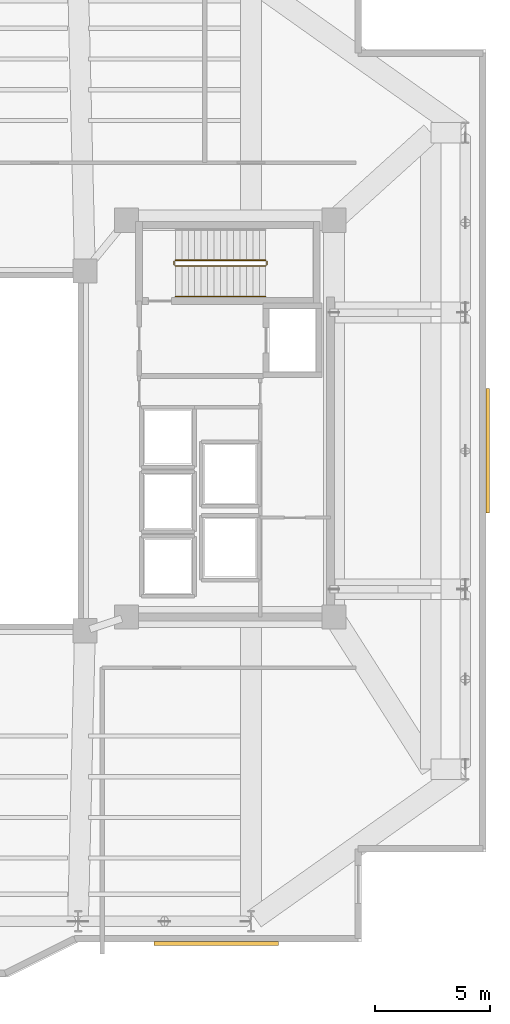
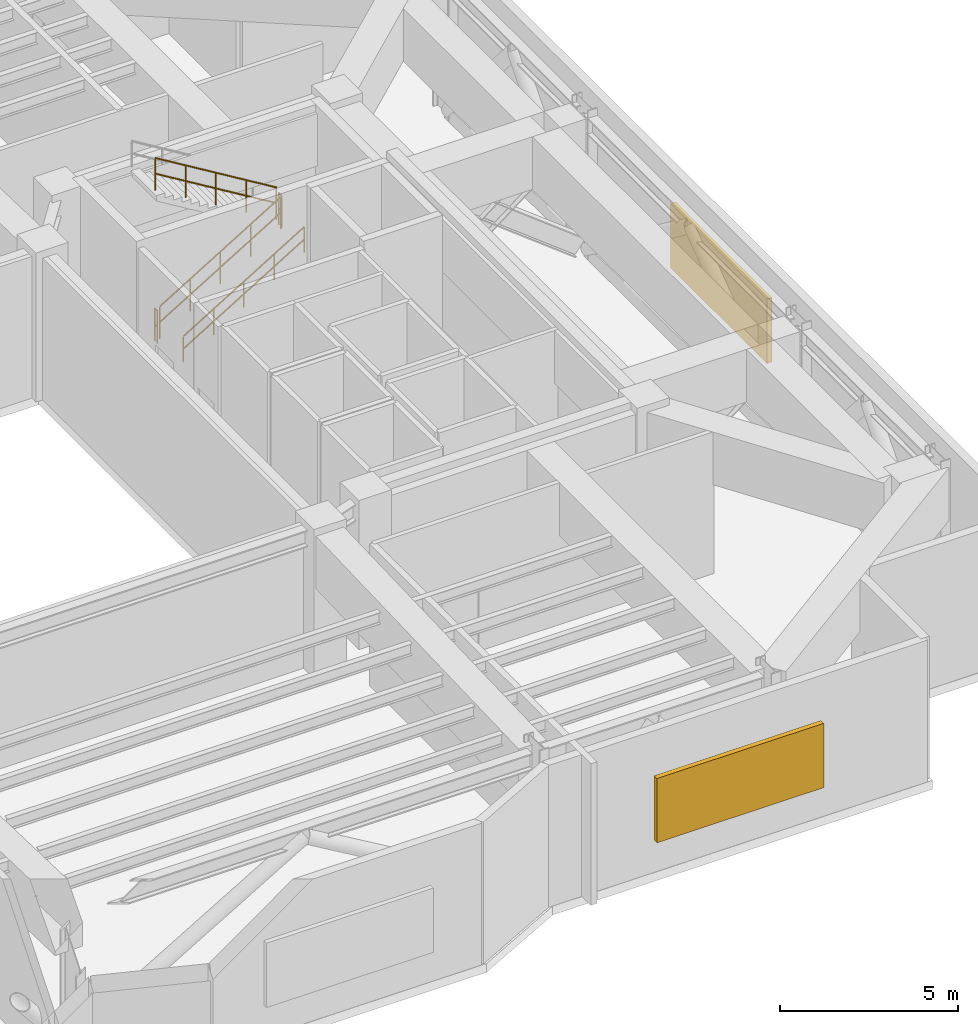
# One storey, part 12 of 13: 5 railings, 2 shading devices.
"""IFC4 building model written with IfcOpenShell, lengths in metres."""

from ifc_helpers import new_model, si_unit, direction, frame, origin, origin_2d, place, context, subcontext, project, spatial, rectangle, circle, extrude, material, layer, layer_set, type_object, element, save


model = new_model("IFC4")

# Units and contexts
model_context = context("Model", 3, precision=1e-05, world=origin(), true_north=direction((0.0, 1.0)))
body_context = subcontext(model_context, "Body", "Model", "MODEL_VIEW")
ifc_project = project(units=[si_unit("LENGTHUNIT", "METRE"), si_unit("AREAUNIT", "SQUARE_METRE"), si_unit("VOLUMEUNIT", "CUBIC_METRE"), si_unit("PLANEANGLEUNIT", "RADIAN"), si_unit("MASSUNIT", "GRAM", prefix="KILO")], contexts=[model_context])

# Site, building, storey
site_placement = place(None, origin())
site = spatial("IfcSite", under=ifc_project, at=site_placement, CompositionType="ELEMENT")
building_placement = place(site_placement, origin())
building = spatial("IfcBuilding", under=site, at=building_placement, Name="Tarnavaz Court Tower", CompositionType="ELEMENT")
storey_placement = place(building_placement, frame((0.0, 0.0, 181.800048828125)))
storey = spatial("IfcBuildingStorey", under=building, at=storey_placement, Name="L49", CompositionType="ELEMENT", Elevation=181.800048828125)

# Railings
ifc_material_1 = material(Name="Brushed Stainless Steel", Category="steel")
railing_type_1 = type_object("IfcRailingType", Name="RL-HANDRAIL-900", PredefinedType="HANDRAIL", material=ifc_material_1)
railing_1_placement = place(storey_placement, frame((11.719970703125, 6.699951171875, 0.169921875)))
element("IfcRailing", 1, at=railing_1_placement, inside=storey, type_object=railing_type_1, Name="L49 ST-E1 stair handrail 1", PredefinedType="HANDRAIL", context=body_context, shape_type="SweptSolid", body=[
    extrude(circle(Radius=0.02392578125, at=origin_2d()), frame((0.0, 0.0, 0.8759765625), z_axis=(0.854770645689, 0.0, 0.519005918337), x_axis=(0.0, 1.0, 0.0)), (0.0, 0.0, 1.0), 4.5859375),
    extrude(circle(Radius=0.02392578125, at=origin_2d()), frame((0.0, 0.0, 0.449951171875), z_axis=(0.854770645689, 0.0, 0.519005918337), x_axis=(0.0, 1.0, 0.0)), (0.0, 0.0, 1.0), 4.5859375),
    extrude(circle(Radius=0.02099609375, at=origin_2d()), origin(), (0.0, 0.0, 1.0), 0.851806640625),
    extrude(circle(Radius=0.02099609375, at=origin_2d()), frame((0.97998046875, 0.0, 0.594970703125)), (0.0, 0.0, 1.0), 0.851806640625),
    extrude(circle(Radius=0.02099609375, at=origin_2d()), frame((1.9599609375, 0.0, 1.18994140625)), (0.0, 0.0, 1.0), 0.851806640625),
    extrude(circle(Radius=0.02099609375, at=origin_2d()), frame((2.93994140625, 0.0, 1.78515625)), (0.0, 0.0, 1.0), 0.851806640625),
    extrude(circle(Radius=0.02099609375, at=origin_2d()), frame((3.919921875, 0.0, 2.380126953125)), (0.0, 0.0, 1.0), 0.851806640625),
])
ifc_material_2 = material(Name="Galvanized Painted Tubular Steel", Category="steel")
railing_type_2 = type_object("IfcRailingType", Name="RL-STGUARD-1120", PredefinedType="GUARDRAIL", material=ifc_material_2)
railing_2_placement = place(storey_placement, frame((11.719970703125, 8.02001953125, 0.169921875)))
element("IfcRailing", 2, at=railing_2_placement, inside=storey, type_object=railing_type_2, Name="L49 ST-E1 stair guard 1", PredefinedType="GUARDRAIL", context=body_context, shape_type="SweptSolid", body=[
    extrude(circle(Radius=0.02392578125, at=origin_2d()), frame((0.0, 0.0, 1.09619140625), z_axis=(0.854770645689, 0.0, 0.519005918337), x_axis=(0.0, 1.0, 0.0)), (0.0, 0.0, 1.0), 4.5859375),
    extrude(circle(Radius=0.02392578125, at=origin_2d()), frame((0.0, 0.0, 0.56005859375), z_axis=(0.854770645689, 0.0, 0.519005918337), x_axis=(0.0, 1.0, 0.0)), (0.0, 0.0, 1.0), 4.5859375),
    extrude(circle(Radius=0.02099609375, at=origin_2d()), origin(), (0.0, 0.0, 1.0), 1.072021484375),
    extrude(circle(Radius=0.02099609375, at=origin_2d()), frame((0.97998046875, 0.0, 0.594970703125)), (0.0, 0.0, 1.0), 1.072021484375),
    extrude(circle(Radius=0.02099609375, at=origin_2d()), frame((1.9599609375, 0.0, 1.18994140625)), (0.0, 0.0, 1.0), 1.072021484375),
    extrude(circle(Radius=0.02099609375, at=origin_2d()), frame((2.93994140625, 0.0, 1.78515625)), (0.0, 0.0, 1.0), 1.072021484375),
    extrude(circle(Radius=0.02099609375, at=origin_2d()), frame((3.919921875, 0.0, 2.380126953125)), (0.0, 0.0, 1.0), 1.072021484375),
])
railing_3_placement = place(storey_placement, frame((15.68994140625, 8.070068359375, 2.550048828125)))
element("IfcRailing", 3, at=railing_3_placement, inside=storey, type_object=railing_type_2, Name="L49 ST-E1 stair guard 2", PredefinedType="GUARDRAIL", context=body_context, shape_type="SweptSolid", body=[
    extrude(circle(Radius=0.02392578125, at=origin_2d()), frame((0.0, 0.0, 1.09619140625), z_axis=(0.0, 1.0, 0.0), x_axis=(-1.0, 0.0, 0.0)), (0.0, 0.0, 1.0), 0.14990234375),
    extrude(circle(Radius=0.02392578125, at=origin_2d()), frame((0.0, 0.0, 0.56005859375), z_axis=(0.0, 1.0, 0.0), x_axis=(-1.0, 0.0, 0.0)), (0.0, 0.0, 1.0), 0.14990234375),
    extrude(circle(Radius=0.02099609375, at=origin_2d()), origin(), (0.0, 0.0, 1.0), 1.072021484375),
    extrude(circle(Radius=0.02099609375, at=origin_2d()), frame((0.0, 0.14990234375, 0.0)), (0.0, 0.0, 1.0), 1.072021484375),
])
railing_4_placement = place(storey_placement, frame((15.639892578125, 8.27001953125, 2.719970703125)))
element("IfcRailing", 4, at=railing_4_placement, inside=storey, type_object=railing_type_2, Name="L49 ST-E1 stair guard 3", PredefinedType="GUARDRAIL", context=body_context, shape_type="SweptSolid", body=[
    extrude(circle(Radius=0.02392578125, at=origin_2d()), frame((0.0, 0.0, 1.09619140625), z_axis=(-0.854794262968, 0.0, 0.518967020143), x_axis=(0.0, -1.0, 0.0)), (0.0, 0.0, 1.0), 4.585693359375),
    extrude(circle(Radius=0.02392578125, at=origin_2d()), frame((0.0, 0.0, 0.56005859375), z_axis=(-0.854794262968, 0.0, 0.518967020143), x_axis=(0.0, -1.0, 0.0)), (0.0, 0.0, 1.0), 4.585693359375),
    extrude(circle(Radius=0.02099609375, at=origin_2d()), origin(), (0.0, 0.0, 1.0), 1.072021484375),
    extrude(circle(Radius=0.02099609375, at=origin_2d()), frame((-0.97998046875, 0.0, 0.594970703125)), (0.0, 0.0, 1.0), 1.072021484375),
    extrude(circle(Radius=0.02099609375, at=origin_2d()), frame((-1.9599609375, 0.0, 1.18994140625)), (0.0, 0.0, 1.0), 1.072021484375),
    extrude(circle(Radius=0.02099609375, at=origin_2d()), frame((-2.93994140625, 0.0, 1.784912109375)), (0.0, 0.0, 1.0), 1.072021484375),
    extrude(circle(Radius=0.02099609375, at=origin_2d()), frame((-3.919921875, 0.0, 2.3798828125)), (0.0, 0.0, 1.0), 1.072021484375),
])
railing_5_placement = place(storey_placement, frame((11.669921875, 8.070068359375, 0.0)))
element("IfcRailing", 5, at=railing_5_placement, inside=storey, type_object=railing_type_2, Name="L49 ST-E1 stair guard 4", PredefinedType="GUARDRAIL", context=body_context, shape_type="SweptSolid", body=[
    extrude(circle(Radius=0.02392578125, at=origin_2d()), frame((0.0, 0.0, 1.09619140625), z_axis=(0.0, 1.0, 0.0), x_axis=(-1.0, 0.0, 0.0)), (0.0, 0.0, 1.0), 0.14990234375),
    extrude(circle(Radius=0.02392578125, at=origin_2d()), frame((0.0, 0.0, 0.56005859375), z_axis=(0.0, 1.0, 0.0), x_axis=(-1.0, 0.0, 0.0)), (0.0, 0.0, 1.0), 0.14990234375),
    extrude(circle(Radius=0.02099609375, at=origin_2d()), origin(), (0.0, 0.0, 1.0), 1.072021484375),
    extrude(circle(Radius=0.02099609375, at=origin_2d()), frame((0.0, 0.14990234375, 0.0)), (0.0, 0.0, 1.0), 1.072021484375),
])

# Shading devices
ifc_material_3 = material(Name="Anodised Aluminium 6063-T6 Acoustic Louvre", Category="aluminium")
ifc_layer = layer(ifc_material_3, 0.159912109375)
ifc_layer_set = layer_set([ifc_layer], Name="Anodised Aluminium 6063-T6 Acoustic Louvre")
shading_device_type = type_object("IfcShadingDeviceType", Name="SD-LOUV-200", PredefinedType="JALOUSIE", material=ifc_layer_set)
for number, where, z_axis, x_axis, name in (
    (6, (25.260009765625, 0.0, 1.10009765625), (0.0, 0.0, 1.0), (0.0, -1.0, 0.0), "L49 Plant Sand-Trap Acoustic Louvre 12"),
    (7, (13.5, -21.360107421875, 1.10009765625), (0.0, 0.0, 1.0), (-1.0, 0.0, 0.0), "L49 Plant Sand-Trap Acoustic Louvre 15"),
):
    element("IfcShadingDevice", number, at=place(storey_placement, frame(where, z_axis=z_axis, x_axis=x_axis)), inside=storey, type_object=shading_device_type, Name=name, PredefinedType="JALOUSIE", context=body_context, shape_type="SweptSolid", body=[
        extrude(rectangle(XDim=5.39990234375, YDim=0.159912109375, at=origin_2d()), origin(), (0.0, 0.0, 1.0), 2.199951171875),
    ])

save(model, "model.ifc")
